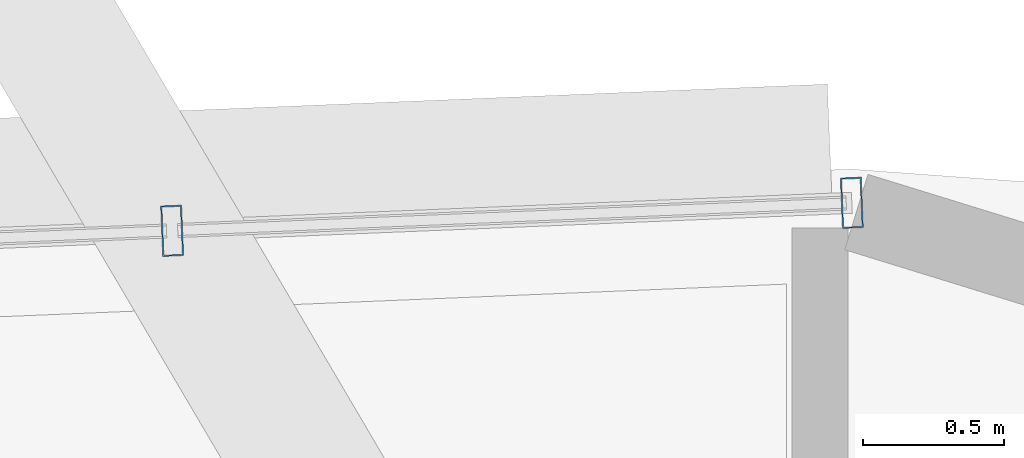
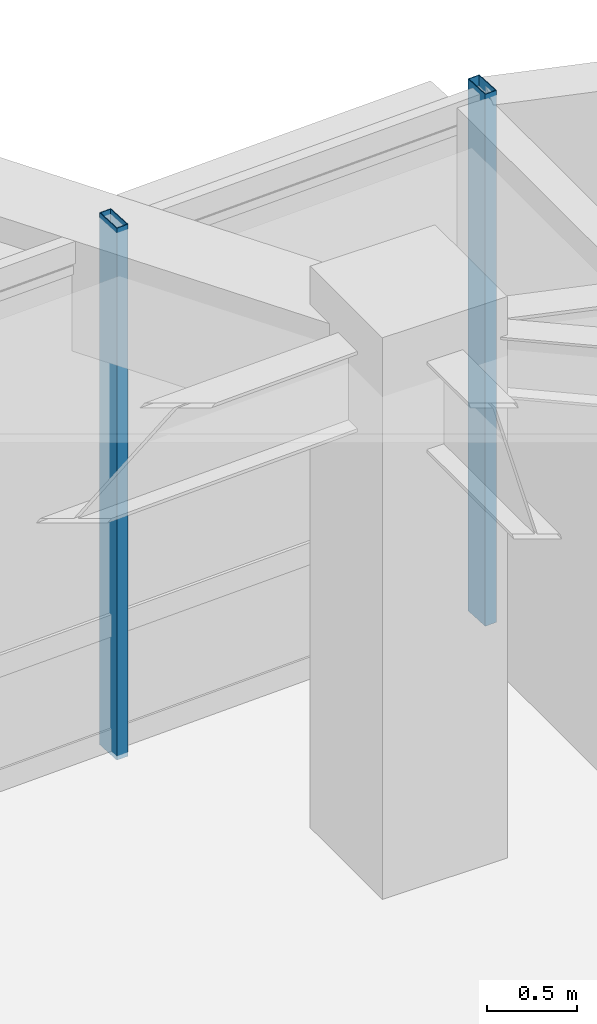
# One storey, part 4 of 12: 2 members, 1 element without a shape of its own.
"""IFC4 building model written with IfcOpenShell, lengths in metres."""

from ifc_helpers import new_model, si_unit, direction, frame, origin, origin_2d, place, context, subcontext, project, spatial, hollow_rectangle, extrude, material, material_profile, profile_set, type_object, element, aggregate, save


model = new_model("IFC4")

# Units and contexts
model_context = context("Model", 3, precision=1e-05, world=origin(), true_north=direction((0.0, 1.0)))
body_context = subcontext(model_context, "Body", "Model", "MODEL_VIEW")
ifc_project = project(units=[si_unit("LENGTHUNIT", "METRE"), si_unit("AREAUNIT", "SQUARE_METRE"), si_unit("VOLUMEUNIT", "CUBIC_METRE"), si_unit("PLANEANGLEUNIT", "RADIAN"), si_unit("MASSUNIT", "GRAM", prefix="KILO")], contexts=[model_context])

# Site, building, storey
site_placement = place(None, origin())
site = spatial("IfcSite", under=ifc_project, at=site_placement, CompositionType="ELEMENT")
building_placement = place(site_placement, origin())
building = spatial("IfcBuilding", under=site, at=building_placement, Name="Zulverin Broadcast Headquarters", CompositionType="ELEMENT")
storey_placement = place(building_placement, frame((0.0, 0.0, 293.39990234375)))
storey = spatial("IfcBuildingStorey", under=building, at=storey_placement, Name="L75", CompositionType="ELEMENT", Elevation=293.39990234375)

# Curtain wall, members
ifc_material_1 = material(Name="High-zone solar-control unitised curtain wall", Category="aluminium")
curtain_wall_type = type_object("IfcCurtainWallType", Name="CW-TWR-UPP", PredefinedType="USERDEFINED", material=ifc_material_1)
curtain_wall_placement = place(storey_placement, origin())
curtain_wall = element("IfcCurtainWall", 1, at=curtain_wall_placement, inside=storey, type_object=curtain_wall_type, Name="L75 Unitised Curtain Wall CW-L75-E5", ObjectType="UNITISED CURTAIN WALL", PredefinedType="USERDEFINED")
ifc_material_2 = material(Name="Anodized pale-metal aluminium alloy 6063-T6", Category="aluminium")
ifc_material_profile = material_profile(ifc_material_2, hollow_rectangle(XDim=0.074951171875, YDim=0.179931640625, WallThickness=0.0048828125, at=origin_2d()), Name="Anodized pale-metal aluminium alloy 6063-T6", Category="aluminium")
ifc_profile_set = profile_set([ifc_material_profile], Name="Anodized pale-metal aluminium alloy 6063-T6")
member_type = type_object("IfcMemberType", Name="CW-MUL-180", PredefinedType="MULLION", material=ifc_profile_set)
member_1_placement = place(storey_placement, frame((46.412841796875, 48.02490234375, -0.02978515625), z_axis=(0.0, 0.0, 1.0), x_axis=(-0.999156343069, -0.041068261531, 0.0)))
member_1 = element("IfcMember", 2, at=member_1_placement, type_object=member_type, Name="CW-L75-E5 Mullion 00", PredefinedType="MULLION", context=body_context, shape_type="SweptSolid", body=[
    extrude(hollow_rectangle(XDim=0.074951171875, YDim=0.179931640625, WallThickness=0.0048828125, at=origin_2d()), origin(), (0.0, 0.0, 1.0), 3.599853515625),
])
member_2_placement = place(storey_placement, frame((43.997314453125, 47.925537109375, -0.02978515625), z_axis=(0.0, 0.0, 1.0), x_axis=(-0.999156343069, -0.041068261531, 0.0)))
member_2 = element("IfcMember", 3, at=member_2_placement, type_object=member_type, Name="CW-L75-E5 Mullion 01", PredefinedType="MULLION", context=body_context, shape_type="SweptSolid", body=[
    extrude(hollow_rectangle(XDim=0.074951171875, YDim=0.179931640625, WallThickness=0.0048828125, at=origin_2d()), origin(), (0.0, 0.0, 1.0), 3.599853515625),
])
aggregate(curtain_wall, [member_1, member_2])

save(model, "model.ifc")
